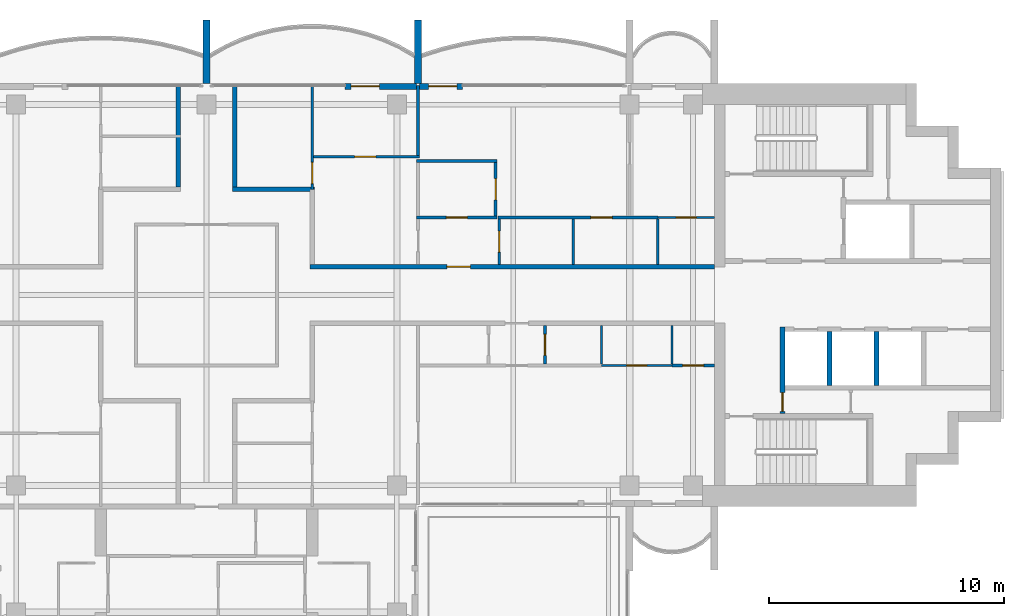
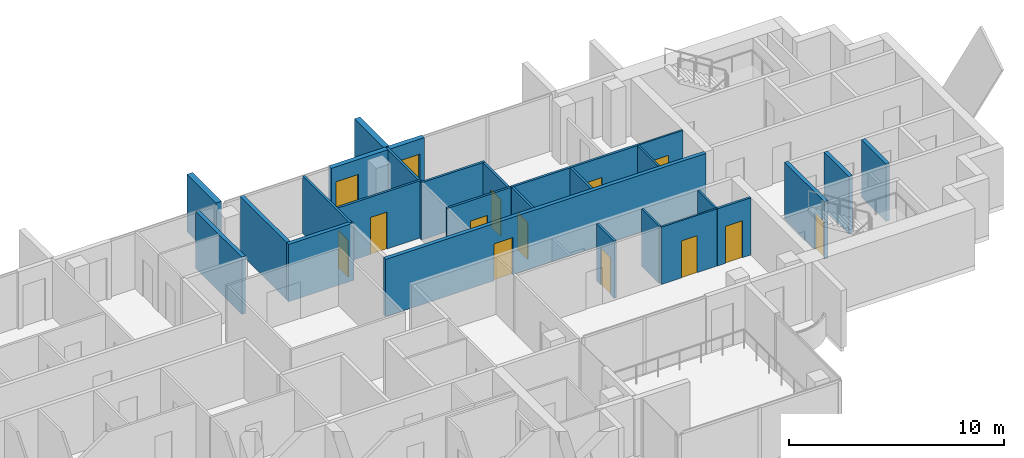
# One storey, part 11 of 17: 27 walls, 14 doors, 14 openings.
"""IFC4 building model written with IfcOpenShell, lengths in metres."""

from ifc_helpers import new_model, si_unit, direction, frame, frame_2d, origin, place, context, subcontext, project, spatial, rectangle, extrude, material, layer, layer_set, type_object, element, fill, save


model = new_model("IFC4")

# Units and contexts
model_context = context("Model", 3, precision=1e-05, world=origin(), true_north=direction((0.0, 1.0)))
body_context = subcontext(model_context, "Body", "Model", "MODEL_VIEW")
ifc_project = project(units=[si_unit("LENGTHUNIT", "METRE"), si_unit("AREAUNIT", "SQUARE_METRE"), si_unit("VOLUMEUNIT", "CUBIC_METRE"), si_unit("PLANEANGLEUNIT", "RADIAN"), si_unit("MASSUNIT", "GRAM", prefix="KILO")], contexts=[model_context])

# Site, building, storey
site_placement = place(None, origin())
site = spatial("IfcSite", under=ifc_project, at=site_placement, CompositionType="ELEMENT")
building_placement = place(site_placement, origin())
building = spatial("IfcBuilding", under=site, at=building_placement, Name="Perihelion Cross Residences", CompositionType="ELEMENT")
storey_placement = place(building_placement, frame((0.0, 0.0, 278.0)))
storey = spatial("IfcBuildingStorey", under=building, at=storey_placement, Name="L71", CompositionType="ELEMENT", Elevation=278.0)

# Wall, opening, door
ifc_material_1 = material(Name="Plasterboard partition")
ifc_layer_1 = layer(ifc_material_1, 0.199951171875)
ifc_layer_set_1 = layer_set([ifc_layer_1], Name="Apartment separation wall 200")
wall_type_1 = type_object("IfcWallType", Name="Apartment separation wall 200", PredefinedType="PARTITIONING", material=ifc_layer_set_1)
wall_1_placement = place(storey_placement, frame((4.39990234375, 1.199951171875, 0.0), z_axis=(0.0, 0.0, 1.0), x_axis=(1.0, 0.0, 0.0)))
wall_1 = element("IfcWall", 1, at=wall_1_placement, inside=storey, type_object=wall_type_1, Name="Partition L71 W005", PredefinedType="PARTITIONING", context=body_context, shape_type="SweptSolid", body=[
    extrude(rectangle(XDim=17.2001953125, YDim=0.199951171875, at=frame_2d((8.60009765625, 0.0))), origin(), (0.0, 0.0, 1.0), 3.25),
])
opening_1_placement = place(wall_1_placement, frame((5.824951171875, 0.0, 0.0)))
opening_1 = element("IfcOpeningElement", 2, at=opening_1_placement, cuts=wall_1, Name="Opening L71.A42", PredefinedType="OPENING", context=body_context, shape_type="SweptSolid", body=[
    extrude(rectangle(XDim=1.0, YDim=2.10009765625, at=frame_2d((0.5, 1.050048828125))), frame((0.0, 0.10986328125, 0.0), z_axis=(0.0, -1.0, 0.0), x_axis=(1.0, 0.0, 0.0)), (0.0, 0.0, 1.0), 0.219970703125),
])
ifc_material_2 = material(Name="Timber door leaf", Category="wood")
door_type_1 = type_object("IfcDoorType", Name="Flat entrance door 1000 x 2100", OperationType="SINGLE_SWING_LEFT", PredefinedType="DOOR", material=ifc_material_2)
door_1_placement = place(opening_1_placement, origin())
door_1 = element("IfcDoor", 3, at=door_1_placement, inside=storey, type_object=door_type_1, Name="Door L71.A42", OperationType="SINGLE_SWING_LEFT", OverallHeight=2.10009765625, OverallWidth=1.0, PredefinedType="DOOR", context=body_context, shape_type="SweptSolid", body=[
    extrude(rectangle(XDim=1.0, YDim=2.10009765625, at=frame_2d((0.5, 1.050048828125))), frame((0.0, 0.02490234375, 0.0), z_axis=(0.0, -1.0, 0.0), x_axis=(1.0, 0.0, 0.0)), (0.0, 0.0, 1.0), 0.050048828125),
])
fill(opening_1, door_1)

# Walls
wall_2_placement = place(storey_placement, frame((1.199951171875, 8.919921875, 0.0), z_axis=(0.0, 0.0, 1.0), x_axis=(0.0, -1.0, 0.0)))
element("IfcWall", 4, at=wall_2_placement, inside=storey, type_object=wall_type_1, Name="Partition L71 W007", PredefinedType="PARTITIONING", context=body_context, shape_type="SweptSolid", body=[
    extrude(rectangle(XDim=4.31982421875, YDim=0.199951171875, at=frame_2d((2.159912109375, 0.0))), origin(), (0.0, 0.0, 1.0), 3.25),
])
wall_3_placement = place(storey_placement, frame((1.10009765625, 4.5, 0.0), z_axis=(0.0, 0.0, 1.0), x_axis=(1.0, 0.0, 0.0)))
element("IfcWall", 5, at=wall_3_placement, inside=storey, type_object=wall_type_1, Name="Partition L71 W008", PredefinedType="PARTITIONING", context=body_context, shape_type="SweptSolid", body=[
    extrude(rectangle(XDim=3.5, YDim=0.199951171875, at=frame_2d((1.75, 0.0))), origin(), (0.0, 0.0, 1.0), 3.25),
])
wall_4_placement = place(storey_placement, frame((-1.199951171875, 4.60009765625, 0.0), z_axis=(0.0, 0.0, 1.0), x_axis=(0.0, 1.0, 0.0)))
element("IfcWall", 6, at=wall_4_placement, inside=storey, type_object=wall_type_1, Name="Partition L71 W016", PredefinedType="PARTITIONING", context=body_context, shape_type="SweptSolid", body=[
    extrude(rectangle(XDim=4.31982421875, YDim=0.199951171875, at=frame_2d((2.159912109375, 0.0))), origin(), (0.0, 0.0, 1.0), 3.25),
])

# Wall, opening, door
ifc_material_3 = material(Name="Concrete C30/37, bronze-clad", Category="concrete")
ifc_layer_2 = layer(ifc_material_3, 0.25)
ifc_layer_set_2 = layer_set([ifc_layer_2], Name="Bronze-clad pier wall 250")
wall_type_2 = type_object("IfcWallType", Name="Bronze-clad pier wall 250", PredefinedType="SOLIDWALL", material=ifc_layer_set_2)
wall_5_placement = place(storey_placement, frame((10.89990234375, 8.875, 0.0), z_axis=(0.0, 0.0, 1.0), x_axis=(-1.0, 0.0, 0.0)))
wall_5 = element("IfcWall", 7, at=wall_5_placement, inside=storey, type_object=wall_type_2, Name="Wall FW1 L71 east side north bay 2 pier", PredefinedType="SOLIDWALL", context=body_context, shape_type="SweptSolid", body=[
    extrude(rectangle(XDim=1.83984375, YDim=0.25, at=frame_2d((0.919921875, 0.0))), origin(), (0.0, 0.0, 1.0), 3.25),
])
opening_2_placement = place(wall_5_placement, frame((0.25, 0.0, 0.0)))
opening_2 = element("IfcOpeningElement", 8, at=opening_2_placement, cuts=wall_5, Name="Opening L71.E02", PredefinedType="OPENING", context=body_context, shape_type="SweptSolid", body=[
    extrude(rectangle(XDim=1.199951171875, YDim=2.39990234375, at=frame_2d((0.60009765625, 1.199951171875))), frame((0.0, 0.135009765625, 0.0), z_axis=(0.0, -1.0, 0.0), x_axis=(1.0, 0.0, 0.0)), (0.0, 0.0, 1.0), 0.27001953125),
])
ifc_material_4 = material(Name="Bronze anodised aluminium, glazed", Category="aluminium")
door_type_2 = type_object("IfcDoorType", Name="Balcony door 1200 x 2400", OperationType="NOTDEFINED", PredefinedType="DOOR", material=ifc_material_4)
door_2_placement = place(opening_2_placement, origin())
door_2 = element("IfcDoor", 9, at=door_2_placement, inside=storey, type_object=door_type_2, Name="Door L71.E02 east side north bay 2", OperationType="SINGLE_SWING_RIGHT", OverallHeight=2.39990234375, OverallWidth=1.199951171875, PredefinedType="DOOR", context=body_context, shape_type="SweptSolid", body=[
    extrude(rectangle(XDim=1.199951171875, YDim=2.39990234375, at=frame_2d((0.60009765625, 1.199951171875))), frame((0.0, 0.02490234375, 0.0), z_axis=(0.0, -1.0, 0.0), x_axis=(1.0, 0.0, 0.0)), (0.0, 0.0, 1.0), 0.050048828125),
])
fill(opening_2, door_2)

wall_6_placement = place(storey_placement, frame((8.93994140625, 8.875, 0.0), z_axis=(0.0, 0.0, 1.0), x_axis=(-1.0, 0.0, 0.0)))
wall_6 = element("IfcWall", 10, at=wall_6_placement, inside=storey, type_object=wall_type_2, Name="Wall FW1 L71 north side east bay 1 pier", PredefinedType="SOLIDWALL", context=body_context, shape_type="SweptSolid", body=[
    extrude(rectangle(XDim=3.0400390625, YDim=0.25, at=frame_2d((1.52001953125, 0.0))), origin(), (0.0, 0.0, 1.0), 3.25),
])
opening_3_placement = place(wall_6_placement, frame((1.590087890625, 0.0, 0.0)))
opening_3 = element("IfcOpeningElement", 11, at=opening_3_placement, cuts=wall_6, Name="Opening L71.E03", PredefinedType="OPENING", context=body_context, shape_type="SweptSolid", body=[
    extrude(rectangle(XDim=1.199951171875, YDim=2.39990234375, at=frame_2d((0.60009765625, 1.199951171875))), frame((0.0, 0.135009765625, 0.0), z_axis=(0.0, -1.0, 0.0), x_axis=(1.0, 0.0, 0.0)), (0.0, 0.0, 1.0), 0.27001953125),
])
door_3_placement = place(opening_3_placement, origin())
door_3 = element("IfcDoor", 12, at=door_3_placement, inside=storey, type_object=door_type_2, Name="Door L71.E03 north side east bay 1", OperationType="SINGLE_SWING_LEFT", OverallHeight=2.39990234375, OverallWidth=1.199951171875, PredefinedType="DOOR", context=body_context, shape_type="SweptSolid", body=[
    extrude(rectangle(XDim=1.199951171875, YDim=2.39990234375, at=frame_2d((0.60009765625, 1.199951171875))), frame((0.0, 0.02490234375, 0.0), z_axis=(0.0, -1.0, 0.0), x_axis=(1.0, 0.0, 0.0)), (0.0, 0.0, 1.0), 0.050048828125),
])
fill(opening_3, door_3)

ifc_material_5 = material(Name="Concrete C50/60", Category="concrete")
ifc_layer_3 = layer(ifc_material_5, 0.199951171875)
ifc_layer_set_3 = layer_set([ifc_layer_3], Name="Lobby wall 200")
wall_type_3 = type_object("IfcWallType", Name="Lobby wall 200", PredefinedType="SOLIDWALL", material=ifc_layer_set_3)
wall_7_placement = place(storey_placement, frame((24.5, -5.050048828125, 0.0), z_axis=(0.0, 0.0, 1.0), x_axis=(0.0, 1.0, 0.0)))
wall_7 = element("IfcWall", 13, at=wall_7_placement, inside=storey, type_object=wall_type_3, Name="East core lobby wall", PredefinedType="SOLIDWALL", context=body_context, shape_type="SweptSolid", body=[
    extrude(rectangle(XDim=3.699951171875, YDim=0.199951171875, at=frame_2d((1.85009765625, 0.0))), origin(), (0.0, 0.0, 1.0), 3.25),
])
opening_4_placement = place(wall_7_placement, frame((0.10009765625, 0.0, 0.0)))
opening_4 = element("IfcOpeningElement", 14, at=opening_4_placement, cuts=wall_7, Name="Opening L71.C08", PredefinedType="OPENING", context=body_context, shape_type="SweptSolid", body=[
    extrude(rectangle(XDim=0.800048828125, YDim=2.10009765625, at=frame_2d((0.39990234375, 1.050048828125))), frame((0.0, 0.10986328125, 0.0), z_axis=(0.0, -1.0, 0.0), x_axis=(1.0, 0.0, 0.0)), (0.0, 0.0, 1.0), 0.219970703125),
])
ifc_material_6 = material(Name="Steel, powder coated", Category="steel")
door_type_3 = type_object("IfcDoorType", Name="Riser door 800", OperationType="SINGLE_SWING_LEFT", PredefinedType="DOOR", material=ifc_material_6)
door_4_placement = place(opening_4_placement, origin())
door_4 = element("IfcDoor", 15, at=door_4_placement, inside=storey, type_object=door_type_3, Name="East core riser door", OperationType="SINGLE_SWING_LEFT", OverallHeight=2.10009765625, OverallWidth=0.800048828125, PredefinedType="DOOR", context=body_context, shape_type="SweptSolid", body=[
    extrude(rectangle(XDim=0.800048828125, YDim=2.10009765625, at=frame_2d((0.39990234375, 1.050048828125))), frame((0.0, 0.02490234375, 0.0), z_axis=(0.0, -1.0, 0.0), x_axis=(1.0, 0.0, 0.0)), (0.0, 0.0, 1.0), 0.050048828125),
])
fill(opening_4, door_4)

ifc_material_7 = material(Name="Plasterboard partition")
ifc_layer_4 = layer(ifc_material_7, 0.1201171875)
ifc_layer_set_4 = layer_set([ifc_layer_4], Name="Partition wall 120")
wall_type_4 = type_object("IfcWallType", Name="Partition wall 120", PredefinedType="PARTITIONING", material=ifc_layer_set_4)
wall_8_placement = place(storey_placement, frame((12.449951171875, 3.239990234375, 0.0), z_axis=(0.0, 0.0, 1.0), x_axis=(0.0, -1.0, 0.0)))
wall_8 = element("IfcWall", 16, at=wall_8_placement, inside=storey, type_object=wall_type_4, Name="Partition L71 W022", PredefinedType="PARTITIONING", context=body_context, shape_type="SweptSolid", body=[
    extrude(rectangle(XDim=1.93994140625, YDim=0.1201171875, at=frame_2d((0.969970703125, 0.0))), origin(), (0.0, 0.0, 1.0), 3.25),
])
opening_5_placement = place(wall_8_placement, frame((0.52001953125, 0.0, 0.0)))
opening_5 = element("IfcOpeningElement", 17, at=opening_5_placement, cuts=wall_8, Name="Opening L71.A09", PredefinedType="OPENING", context=body_context, shape_type="SweptSolid", body=[
    extrude(rectangle(XDim=0.89990234375, YDim=2.10009765625, at=frame_2d((0.449951171875, 1.050048828125))), frame((0.0, 0.070068359375, 0.0), z_axis=(0.0, -1.0, 0.0), x_axis=(1.0, 0.0, 0.0)), (0.0, 0.0, 1.0), 0.14013671875),
])
ifc_material_8 = material(Name="Timber door leaf", Category="wood")
door_type_4 = type_object("IfcDoorType", Name="Interior room door 900 x 2100", OperationType="SINGLE_SWING_LEFT", PredefinedType="DOOR", material=ifc_material_8)
door_5_placement = place(opening_5_placement, origin())
door_5 = element("IfcDoor", 18, at=door_5_placement, inside=storey, type_object=door_type_4, Name="Door L71.A09", OperationType="SINGLE_SWING_RIGHT", OverallHeight=2.10009765625, OverallWidth=0.89990234375, PredefinedType="DOOR", context=body_context, shape_type="SweptSolid", body=[
    extrude(rectangle(XDim=0.89990234375, YDim=2.10009765625, at=frame_2d((0.449951171875, 1.050048828125))), frame((0.0, 0.02490234375, 0.0), z_axis=(0.0, -1.0, 0.0), x_axis=(1.0, 0.0, 0.0)), (0.0, 0.0, 1.0), 0.050048828125),
])
fill(opening_5, door_5)

wall_9_placement = place(storey_placement, frame((8.93994140625, 3.300048828125, 0.0), z_axis=(0.0, 0.0, 1.0), x_axis=(1.0, 0.0, 0.0)))
wall_9 = element("IfcWall", 19, at=wall_9_placement, inside=storey, type_object=wall_type_4, Name="Partition L71 W023", PredefinedType="PARTITIONING", context=body_context, shape_type="SweptSolid", body=[
    extrude(rectangle(XDim=3.420166015625, YDim=0.1201171875, at=frame_2d((1.7099609375, 0.0))), origin(), (0.0, 0.0, 1.0), 3.25),
])
opening_6_placement = place(wall_9_placement, frame((1.260009765625, 0.0, 0.0)))
opening_6 = element("IfcOpeningElement", 20, at=opening_6_placement, cuts=wall_9, Name="Opening L71.A10", PredefinedType="OPENING", context=body_context, shape_type="SweptSolid", body=[
    extrude(rectangle(XDim=0.89990234375, YDim=2.10009765625, at=frame_2d((0.449951171875, 1.050048828125))), frame((0.0, 0.070068359375, 0.0), z_axis=(0.0, -1.0, 0.0), x_axis=(1.0, 0.0, 0.0)), (0.0, 0.0, 1.0), 0.14013671875),
])
door_6_placement = place(opening_6_placement, origin())
door_6 = element("IfcDoor", 21, at=door_6_placement, inside=storey, type_object=door_type_4, Name="Door L71.A10", OperationType="SINGLE_SWING_RIGHT", OverallHeight=2.10009765625, OverallWidth=0.89990234375, PredefinedType="DOOR", context=body_context, shape_type="SweptSolid", body=[
    extrude(rectangle(XDim=0.89990234375, YDim=2.10009765625, at=frame_2d((0.449951171875, 1.050048828125))), frame((0.0, 0.02490234375, 0.0), z_axis=(0.0, -1.0, 0.0), x_axis=(1.0, 0.0, 0.0)), (0.0, 0.0, 1.0), 0.050048828125),
])
fill(opening_6, door_6)

# Wall
wall_10_placement = place(storey_placement, frame((15.60009765625, 3.239990234375, 0.0), z_axis=(0.0, 0.0, 1.0), x_axis=(0.0, -1.0, 0.0)))
element("IfcWall", 22, at=wall_10_placement, inside=storey, type_object=wall_type_4, Name="Partition L71 W025", PredefinedType="PARTITIONING", context=body_context, shape_type="SweptSolid", body=[
    extrude(rectangle(XDim=1.93994140625, YDim=0.1201171875, at=frame_2d((0.969970703125, 0.0))), origin(), (0.0, 0.0, 1.0), 3.25),
])

# Wall, opening, door
wall_11_placement = place(storey_placement, frame((12.389892578125, 3.300048828125, 0.0), z_axis=(0.0, 0.0, 1.0), x_axis=(1.0, 0.0, 0.0)))
wall_11 = element("IfcWall", 23, at=wall_11_placement, inside=storey, type_object=wall_type_4, Name="Partition L71 W026", PredefinedType="PARTITIONING", context=body_context, shape_type="SweptSolid", body=[
    extrude(rectangle(XDim=6.81005859375, YDim=0.1201171875, at=frame_2d((3.405029296875, 0.0))), origin(), (0.0, 0.0, 1.0), 3.25),
])
opening_7_placement = place(wall_11_placement, frame((3.9599609375, 0.0, 0.0)))
opening_7 = element("IfcOpeningElement", 24, at=opening_7_placement, cuts=wall_11, Name="Opening L71.A05", PredefinedType="OPENING", context=body_context, shape_type="SweptSolid", body=[
    extrude(rectangle(XDim=0.89990234375, YDim=2.10009765625, at=frame_2d((0.449951171875, 1.050048828125))), frame((0.0, 0.070068359375, 0.0), z_axis=(0.0, -1.0, 0.0), x_axis=(1.0, 0.0, 0.0)), (0.0, 0.0, 1.0), 0.14013671875),
])
door_7_placement = place(opening_7_placement, origin())
door_7 = element("IfcDoor", 25, at=door_7_placement, inside=storey, type_object=door_type_4, Name="Door L71.A05", OperationType="SINGLE_SWING_RIGHT", OverallHeight=2.10009765625, OverallWidth=0.89990234375, PredefinedType="DOOR", context=body_context, shape_type="SweptSolid", body=[
    extrude(rectangle(XDim=0.89990234375, YDim=2.10009765625, at=frame_2d((0.449951171875, 1.050048828125))), frame((0.0, 0.02490234375, 0.0), z_axis=(0.0, -1.0, 0.0), x_axis=(1.0, 0.0, 0.0)), (0.0, 0.0, 1.0), 0.050048828125),
])
fill(opening_7, door_7)

wall_12_placement = place(storey_placement, frame((12.300048828125, 3.360107421875, 0.0), z_axis=(0.0, 0.0, 1.0), x_axis=(0.0, 1.0, 0.0)))
wall_12 = element("IfcWall", 26, at=wall_12_placement, inside=storey, type_object=wall_type_4, Name="Partition L71 W029", PredefinedType="PARTITIONING", context=body_context, shape_type="SweptSolid", body=[
    extrude(rectangle(XDim=2.27978515625, YDim=0.1201171875, at=frame_2d((1.139892578125, 0.0))), origin(), (0.0, 0.0, 1.0), 3.25),
])
opening_8_placement = place(wall_12_placement, frame((0.68994140625, 0.0, 0.0)))
opening_8 = element("IfcOpeningElement", 27, at=opening_8_placement, cuts=wall_12, Name="Opening L71.A07", PredefinedType="OPENING", context=body_context, shape_type="SweptSolid", body=[
    extrude(rectangle(XDim=0.89990234375, YDim=2.10009765625, at=frame_2d((0.449951171875, 1.050048828125))), frame((0.0, 0.070068359375, 0.0), z_axis=(0.0, -1.0, 0.0), x_axis=(1.0, 0.0, 0.0)), (0.0, 0.0, 1.0), 0.14013671875),
])
door_8_placement = place(opening_8_placement, origin())
door_8 = element("IfcDoor", 28, at=door_8_placement, inside=storey, type_object=door_type_4, Name="Door L71.A07", OperationType="SINGLE_SWING_RIGHT", OverallHeight=2.10009765625, OverallWidth=0.89990234375, PredefinedType="DOOR", context=body_context, shape_type="SweptSolid", body=[
    extrude(rectangle(XDim=0.89990234375, YDim=2.10009765625, at=frame_2d((0.449951171875, 1.050048828125))), frame((0.0, 0.02490234375, 0.0), z_axis=(0.0, -1.0, 0.0), x_axis=(1.0, 0.0, 0.0)), (0.0, 0.0, 1.0), 0.050048828125),
])
fill(opening_8, door_8)

# Walls
wall_13_placement = place(storey_placement, frame((12.360107421875, 5.699951171875, 0.0), z_axis=(0.0, 0.0, 1.0), x_axis=(-1.0, 0.0, 0.0)))
element("IfcWall", 29, at=wall_13_placement, inside=storey, type_object=wall_type_4, Name="Partition L71 W030", PredefinedType="PARTITIONING", context=body_context, shape_type="SweptSolid", body=[
    extrude(rectangle(XDim=3.420166015625, YDim=0.1201171875, at=frame_2d((1.7099609375, 0.0))), origin(), (0.0, 0.0, 1.0), 3.25),
])
wall_14_placement = place(storey_placement, frame((9.0, 5.93994140625, 0.0), z_axis=(0.0, 0.0, 1.0), x_axis=(0.0, 1.0, 0.0)))
element("IfcWall", 30, at=wall_14_placement, inside=storey, type_object=wall_type_4, Name="Partition L71 W032", PredefinedType="PARTITIONING", context=body_context, shape_type="SweptSolid", body=[
    extrude(rectangle(XDim=2.97998046875, YDim=0.1201171875, at=frame_2d((1.489990234375, 0.0))), origin(), (0.0, 0.0, 1.0), 3.25),
])

# Wall, opening, door
wall_15_placement = place(storey_placement, frame((4.43994140625, 5.8798828125, 0.0), z_axis=(0.0, 0.0, 1.0), x_axis=(1.0, 0.0, 0.0)))
wall_15 = element("IfcWall", 31, at=wall_15_placement, inside=storey, type_object=wall_type_4, Name="Partition L71 W033", PredefinedType="PARTITIONING", context=body_context, shape_type="SweptSolid", body=[
    extrude(rectangle(XDim=4.6201171875, YDim=0.1201171875, at=frame_2d((2.31005859375, 0.0))), origin(), (0.0, 0.0, 1.0), 3.25),
])
opening_9_placement = place(wall_15_placement, frame((1.860107421875, 0.0, 0.0)))
opening_9 = element("IfcOpeningElement", 32, at=opening_9_placement, cuts=wall_15, Name="Opening L71.A06", PredefinedType="OPENING", context=body_context, shape_type="SweptSolid", body=[
    extrude(rectangle(XDim=0.89990234375, YDim=2.10009765625, at=frame_2d((0.449951171875, 1.050048828125))), frame((0.0, 0.070068359375, 0.0), z_axis=(0.0, -1.0, 0.0), x_axis=(1.0, 0.0, 0.0)), (0.0, 0.0, 1.0), 0.14013671875),
])
door_9_placement = place(opening_9_placement, origin())
door_9 = element("IfcDoor", 33, at=door_9_placement, inside=storey, type_object=door_type_4, Name="Door L71.A06", OperationType="SINGLE_SWING_RIGHT", OverallHeight=2.10009765625, OverallWidth=0.89990234375, PredefinedType="DOOR", context=body_context, shape_type="SweptSolid", body=[
    extrude(rectangle(XDim=0.89990234375, YDim=2.10009765625, at=frame_2d((0.449951171875, 1.050048828125))), frame((0.0, 0.02490234375, 0.0), z_axis=(0.0, -1.0, 0.0), x_axis=(1.0, 0.0, 0.0)), (0.0, 0.0, 1.0), 0.050048828125),
])
fill(opening_9, door_9)

wall_16_placement = place(storey_placement, frame((4.5, 4.5, 0.0), z_axis=(0.0, 0.0, 1.0), x_axis=(0.0, 1.0, 0.0)))
wall_16 = element("IfcWall", 34, at=wall_16_placement, inside=storey, type_object=wall_type_4, Name="Partition L71 W034", PredefinedType="PARTITIONING", context=body_context, shape_type="SweptSolid", body=[
    extrude(rectangle(XDim=4.419921875, YDim=0.1201171875, at=frame_2d((2.2099609375, 0.0))), origin(), (0.0, 0.0, 1.0), 3.25),
])
opening_10_placement = place(wall_16_placement, frame((0.239990234375, 0.0, 0.0)))
opening_10 = element("IfcOpeningElement", 35, at=opening_10_placement, cuts=wall_16, Name="Opening L71.A02", PredefinedType="OPENING", context=body_context, shape_type="SweptSolid", body=[
    extrude(rectangle(XDim=0.89990234375, YDim=2.10009765625, at=frame_2d((0.449951171875, 1.050048828125))), frame((0.0, 0.070068359375, 0.0), z_axis=(0.0, -1.0, 0.0), x_axis=(1.0, 0.0, 0.0)), (0.0, 0.0, 1.0), 0.14013671875),
])
door_10_placement = place(opening_10_placement, origin())
door_10 = element("IfcDoor", 36, at=door_10_placement, inside=storey, type_object=door_type_4, Name="Door L71.A02", OperationType="SINGLE_SWING_RIGHT", OverallHeight=2.10009765625, OverallWidth=0.89990234375, PredefinedType="DOOR", context=body_context, shape_type="SweptSolid", body=[
    extrude(rectangle(XDim=0.89990234375, YDim=2.10009765625, at=frame_2d((0.449951171875, 1.050048828125))), frame((0.0, 0.02490234375, 0.0), z_axis=(0.0, -1.0, 0.0), x_axis=(1.0, 0.0, 0.0)), (0.0, 0.0, 1.0), 0.050048828125),
])
fill(opening_10, door_10)

wall_17_placement = place(storey_placement, frame((14.39990234375, -1.300048828125, 0.0), z_axis=(0.0, 0.0, 1.0), x_axis=(0.0, -1.0, 0.0)))
wall_17 = element("IfcWall", 37, at=wall_17_placement, inside=storey, type_object=wall_type_4, Name="Partition L71 W038", PredefinedType="PARTITIONING", context=body_context, shape_type="SweptSolid", body=[
    extrude(rectangle(XDim=1.639892578125, YDim=0.1201171875, at=frame_2d((0.81982421875, 0.0))), origin(), (0.0, 0.0, 1.0), 3.25),
])
opening_11_placement = place(wall_17_placement, frame((0.3701171875, 0.0, 0.0)))
opening_11 = element("IfcOpeningElement", 38, at=opening_11_placement, cuts=wall_17, Name="Opening L71.A18", PredefinedType="OPENING", context=body_context, shape_type="SweptSolid", body=[
    extrude(rectangle(XDim=0.89990234375, YDim=2.10009765625, at=frame_2d((0.449951171875, 1.050048828125))), frame((0.0, 0.070068359375, 0.0), z_axis=(0.0, -1.0, 0.0), x_axis=(1.0, 0.0, 0.0)), (0.0, 0.0, 1.0), 0.14013671875),
])
door_11_placement = place(opening_11_placement, origin())
door_11 = element("IfcDoor", 39, at=door_11_placement, inside=storey, type_object=door_type_4, Name="Door L71.A18", OperationType="SINGLE_SWING_RIGHT", OverallHeight=2.10009765625, OverallWidth=0.89990234375, PredefinedType="DOOR", context=body_context, shape_type="SweptSolid", body=[
    extrude(rectangle(XDim=0.89990234375, YDim=2.10009765625, at=frame_2d((0.449951171875, 1.050048828125))), frame((0.0, 0.02490234375, 0.0), z_axis=(0.0, -1.0, 0.0), x_axis=(1.0, 0.0, 0.0)), (0.0, 0.0, 1.0), 0.050048828125),
])
fill(opening_11, door_11)

wall_18_placement = place(storey_placement, frame((21.60009765625, -3.0, 0.0), z_axis=(0.0, 0.0, 1.0), x_axis=(-1.0, 0.0, 0.0)))
wall_18 = element("IfcWall", 40, at=wall_18_placement, inside=storey, type_object=wall_type_4, Name="Partition L71 W042", PredefinedType="PARTITIONING", context=body_context, shape_type="SweptSolid", body=[
    extrude(rectangle(XDim=1.800048828125, YDim=0.1201171875, at=frame_2d((0.89990234375, 0.0))), origin(), (0.0, 0.0, 1.0), 3.25),
])
opening_12_placement = place(wall_18_placement, frame((0.449951171875, 0.0, 0.0)))
opening_12 = element("IfcOpeningElement", 41, at=opening_12_placement, cuts=wall_18, Name="Opening L71.A13", PredefinedType="OPENING", context=body_context, shape_type="SweptSolid", body=[
    extrude(rectangle(XDim=0.89990234375, YDim=2.10009765625, at=frame_2d((0.449951171875, 1.050048828125))), frame((0.0, 0.070068359375, 0.0), z_axis=(0.0, -1.0, 0.0), x_axis=(1.0, 0.0, 0.0)), (0.0, 0.0, 1.0), 0.14013671875),
])
door_12_placement = place(opening_12_placement, origin())
door_12 = element("IfcDoor", 42, at=door_12_placement, inside=storey, type_object=door_type_4, Name="Door L71.A13", OperationType="SINGLE_SWING_RIGHT", OverallHeight=2.10009765625, OverallWidth=0.89990234375, PredefinedType="DOOR", context=body_context, shape_type="SweptSolid", body=[
    extrude(rectangle(XDim=0.89990234375, YDim=2.10009765625, at=frame_2d((0.449951171875, 1.050048828125))), frame((0.0, 0.02490234375, 0.0), z_axis=(0.0, -1.0, 0.0), x_axis=(1.0, 0.0, 0.0)), (0.0, 0.0, 1.0), 0.050048828125),
])
fill(opening_12, door_12)

# Walls
ifc_material_9 = material(Name="Precast concrete C50/60", Category="concrete")
ifc_layer_5 = layer(ifc_material_9, 0.300048828125)
ifc_layer_set_5 = layer_set([ifc_layer_5], Name="Precast concrete C50/60 blade wall 300")
wall_type_5 = type_object("IfcWallType", Name="Precast concrete C50/60 blade wall 300", PredefinedType="SOLIDWALL", material=ifc_layer_set_5)
for number, where, z_axis, x_axis, name in (
    (43, (0.0, 9.0, 0.0), (0.0, 0.0, 1.0), (0.0, 1.0, 0.0), "Wall BL1 L71 no. 9"),
    (44, (9.0, 9.0, 0.0), (0.0, 0.0, 1.0), (0.0, 1.0, 0.0), "Wall BL1 L71 no. 16"),
):
    element("IfcWall", number, at=place(storey_placement, frame(where, z_axis=z_axis, x_axis=x_axis)), inside=storey, type_object=wall_type_5, Name=name, PredefinedType="SOLIDWALL", context=body_context, shape_type="SweptSolid", body=[
        extrude(rectangle(XDim=2.699951171875, YDim=0.300048828125, at=frame_2d((1.35009765625, 0.0))), origin(), (0.0, 0.0, 1.0), 3.25),
    ])
ifc_material_10 = material(Name="Concrete C50/60", Category="concrete")
ifc_layer_6 = layer(ifc_material_10, 0.199951171875)
ifc_layer_set_6 = layer_set([ifc_layer_6], Name="Shaft wall 200")
wall_type_6 = type_object("IfcWallType", Name="Shaft wall 200", PredefinedType="SOLIDWALL", material=ifc_layer_set_6)
for number, where, z_axis, x_axis, name in (
    (45, (26.5, -3.85009765625, 0.0), (0.0, 0.0, 1.0), (0.0, 1.0, 0.0), "East core shaft wall"),
    (46, (28.5, -3.85009765625, 0.0), (0.0, 0.0, 1.0), (0.0, 1.0, 0.0), "East core shaft wall"),
):
    element("IfcWall", number, at=place(storey_placement, frame(where, z_axis=z_axis, x_axis=x_axis)), inside=storey, type_object=wall_type_6, Name=name, PredefinedType="SOLIDWALL", context=body_context, shape_type="SweptSolid", body=[
        extrude(rectangle(XDim=2.300048828125, YDim=0.199951171875, at=frame_2d((1.14990234375, 0.0))), origin(), (0.0, 0.0, 1.0), 3.25),
    ])
ifc_material_11 = material(Name="Plasterboard partition")
ifc_layer_7 = layer(ifc_material_11, 0.10009765625)
ifc_layer_set_7 = layer_set([ifc_layer_7], Name="Wet room wall 100")
wall_type_7 = type_object("IfcWallType", Name="Wet room wall 100", PredefinedType="PARTITIONING", material=ifc_layer_set_7)
wall_19_placement = place(storey_placement, frame((19.199951171875, 3.239990234375, 0.0), z_axis=(0.0, 0.0, 1.0), x_axis=(0.0, -1.0, 0.0)))
element("IfcWall", 47, at=wall_19_placement, inside=storey, type_object=wall_type_7, Name="Partition L71 W027", PredefinedType="PARTITIONING", context=body_context, shape_type="SweptSolid", body=[
    extrude(rectangle(XDim=1.93994140625, YDim=0.10009765625, at=frame_2d((0.969970703125, 0.0))), origin(), (0.0, 0.0, 1.0), 3.25),
])

# Wall, opening, door
wall_20_placement = place(storey_placement, frame((19.199951171875, 3.300048828125, 0.0), z_axis=(0.0, 0.0, 1.0), x_axis=(1.0, 0.0, 0.0)))
wall_20 = element("IfcWall", 48, at=wall_20_placement, inside=storey, type_object=wall_type_7, Name="Partition L71 W028", PredefinedType="PARTITIONING", context=body_context, shape_type="SweptSolid", body=[
    extrude(rectangle(XDim=2.400146484375, YDim=0.10009765625, at=frame_2d((1.2001953125, 0.0))), origin(), (0.0, 0.0, 1.0), 3.25),
])
opening_13_placement = place(wall_20_placement, frame((0.77490234375, 0.0, 0.0)))
opening_13 = element("IfcOpeningElement", 49, at=opening_13_placement, cuts=wall_20, Name="Opening L71.A03", PredefinedType="OPENING", context=body_context, shape_type="SweptSolid", body=[
    extrude(rectangle(XDim=0.85009765625, YDim=2.10009765625, at=frame_2d((0.425048828125, 1.050048828125))), frame((0.0, 0.06005859375, 0.0), z_axis=(0.0, -1.0, 0.0), x_axis=(1.0, 0.0, 0.0)), (0.0, 0.0, 1.0), 0.1201171875),
])
ifc_material_12 = material(Name="Timber door leaf", Category="wood")
door_type_5 = type_object("IfcDoorType", Name="Interior bathroom door 850 x 2100", OperationType="SINGLE_SWING_LEFT", PredefinedType="DOOR", material=ifc_material_12)
door_13_placement = place(opening_13_placement, origin())
door_13 = element("IfcDoor", 50, at=door_13_placement, inside=storey, type_object=door_type_5, Name="Door L71.A03", OperationType="SINGLE_SWING_RIGHT", OverallHeight=2.10009765625, OverallWidth=0.85009765625, PredefinedType="DOOR", context=body_context, shape_type="SweptSolid", body=[
    extrude(rectangle(XDim=0.85009765625, YDim=2.10009765625, at=frame_2d((0.425048828125, 1.050048828125))), frame((0.0, 0.02490234375, 0.0), z_axis=(0.0, -1.0, 0.0), x_axis=(1.0, 0.0, 0.0)), (0.0, 0.0, 1.0), 0.050048828125),
])
fill(opening_13, door_13)

# Walls
for number, where, z_axis, x_axis, name in (
    (51, (16.800048828125, -1.300048828125, 0.0), (0.0, 0.0, 1.0), (0.0, -1.0, 0.0), "Partition L71 W039"),
    (52, (19.800048828125, -1.300048828125, 0.0), (0.0, 0.0, 1.0), (0.0, -1.0, 0.0), "Partition L71 W040"),
):
    element("IfcWall", number, at=place(storey_placement, frame(where, z_axis=z_axis, x_axis=x_axis)), inside=storey, type_object=wall_type_7, Name=name, PredefinedType="PARTITIONING", context=body_context, shape_type="SweptSolid", body=[
        extrude(rectangle(XDim=1.639892578125, YDim=0.10009765625, at=frame_2d((0.81982421875, 0.0))), origin(), (0.0, 0.0, 1.0), 3.25),
    ])

# Wall, opening, door
wall_21_placement = place(storey_placement, frame((19.800048828125, -3.0, 0.0), z_axis=(0.0, 0.0, 1.0), x_axis=(-1.0, 0.0, 0.0)))
wall_21 = element("IfcWall", 53, at=wall_21_placement, inside=storey, type_object=wall_type_7, Name="Partition L71 W041", PredefinedType="PARTITIONING", context=body_context, shape_type="SweptSolid", body=[
    extrude(rectangle(XDim=3.0, YDim=0.10009765625, at=frame_2d((1.5, 0.0))), origin(), (0.0, 0.0, 1.0), 3.25),
])
opening_14_placement = place(wall_21_placement, frame((1.074951171875, 0.0, 0.0)))
opening_14 = element("IfcOpeningElement", 54, at=opening_14_placement, cuts=wall_21, Name="Opening L71.A11", PredefinedType="OPENING", context=body_context, shape_type="SweptSolid", body=[
    extrude(rectangle(XDim=0.85009765625, YDim=2.10009765625, at=frame_2d((0.425048828125, 1.050048828125))), frame((0.0, 0.06005859375, 0.0), z_axis=(0.0, -1.0, 0.0), x_axis=(1.0, 0.0, 0.0)), (0.0, 0.0, 1.0), 0.1201171875),
])
door_14_placement = place(opening_14_placement, origin())
door_14 = element("IfcDoor", 55, at=door_14_placement, inside=storey, type_object=door_type_5, Name="Door L71.A11", OperationType="SINGLE_SWING_RIGHT", OverallHeight=2.10009765625, OverallWidth=0.85009765625, PredefinedType="DOOR", context=body_context, shape_type="SweptSolid", body=[
    extrude(rectangle(XDim=0.85009765625, YDim=2.10009765625, at=frame_2d((0.425048828125, 1.050048828125))), frame((0.0, 0.02490234375, 0.0), z_axis=(0.0, -1.0, 0.0), x_axis=(1.0, 0.0, 0.0)), (0.0, 0.0, 1.0), 0.050048828125),
])
fill(opening_14, door_14)

save(model, "model.ifc")
